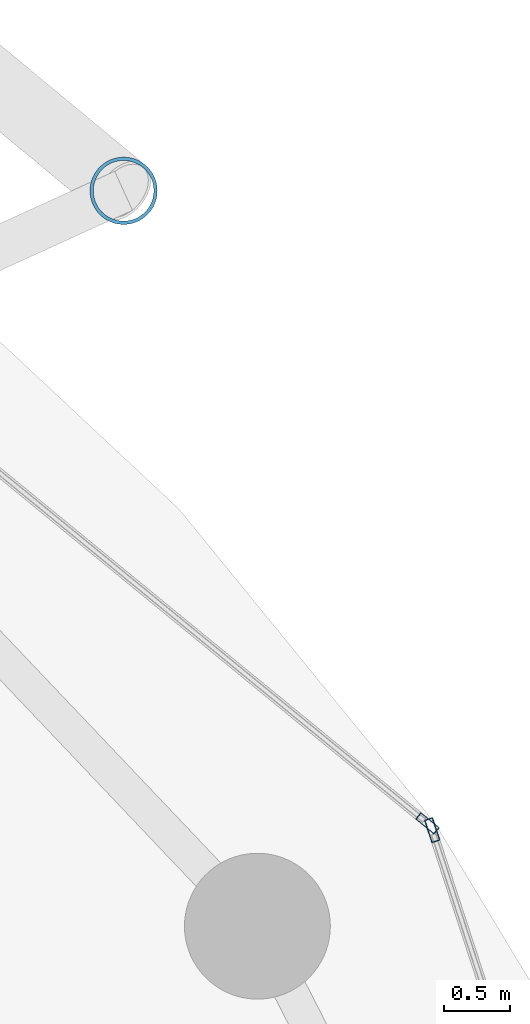
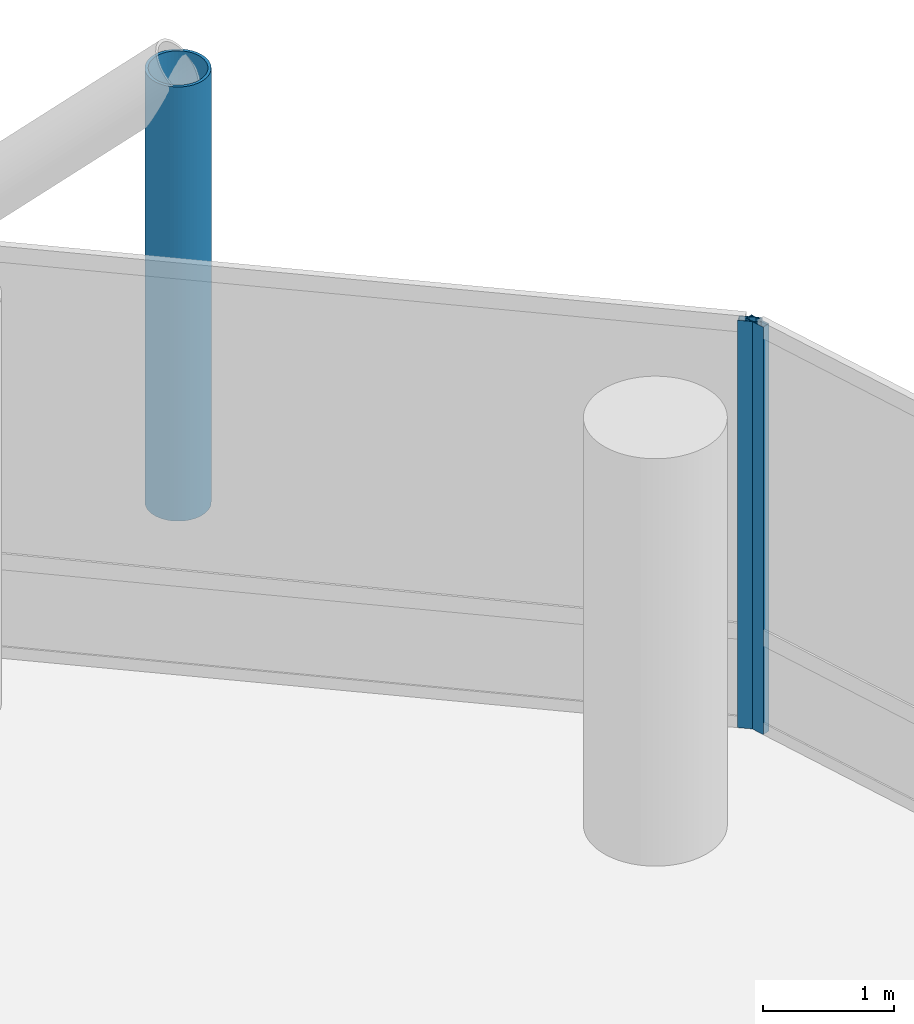
# One storey, part 19 of 25: 3 members, 2 elements without a shape of their own.
"""IFC4 building model written with IfcOpenShell, lengths in metres."""

from ifc_helpers import new_model, si_unit, direction, frame, origin, origin_2d, place, context, subcontext, project, spatial, hollow_rectangle, hollow_circle, extrude, material, layer, layer_set, material_profile, profile_set, type_object, element, aggregate, save


model = new_model("IFC4")

# Units and contexts
model_context = context("Model", 3, precision=1e-05, world=origin(), true_north=direction((0.0, 1.0)))
body_context = subcontext(model_context, "Body", "Model", "MODEL_VIEW")
ifc_project = project(units=[si_unit("LENGTHUNIT", "METRE"), si_unit("AREAUNIT", "SQUARE_METRE"), si_unit("VOLUMEUNIT", "CUBIC_METRE"), si_unit("PLANEANGLEUNIT", "RADIAN"), si_unit("MASSUNIT", "GRAM", prefix="KILO")], contexts=[model_context])

# Site, building, storey
site_placement = place(None, origin())
site = spatial("IfcSite", under=ifc_project, at=site_placement, CompositionType="ELEMENT")
building_placement = place(site_placement, origin())
building = spatial("IfcBuilding", under=site, at=building_placement, Name="Nuhasar Tower", CompositionType="ELEMENT")
storey_placement = place(building_placement, frame((0.0, 0.0, 65.550048828125)))
storey = spatial("IfcBuildingStorey", under=building, at=storey_placement, Name="L15", CompositionType="ELEMENT", Elevation=65.550048828125)

# Curtain wall, member
ifc_material_1 = material(Name="Aluminium 6063-T6", Category="aluminium")
ifc_layer = layer(ifc_material_1, 0.199951171875)
ifc_layer_set = layer_set([ifc_layer], Name="Aluminium 6063-T6")
curtain_wall_type = type_object("IfcCurtainWallType", Name="CW-Z1-OFF", PredefinedType="NOTDEFINED", material=ifc_layer_set)
curtain_wall_1_placement = place(storey_placement, origin())
curtain_wall_1 = element("IfcCurtainWall", 1, at=curtain_wall_1_placement, inside=storey, type_object=curtain_wall_type, Name="L15 Unitised Curtain Wall 01", PredefinedType="NOTDEFINED")
ifc_material_profile_1 = material_profile(ifc_material_1, hollow_rectangle(XDim=0.06494140625, YDim=0.179931640625, WallThickness=0.0048828125, at=origin_2d()), Name="CWM-2")
ifc_profile_set_1 = profile_set([ifc_material_profile_1], Name="Aluminium 6063-T6")
member_type_1 = type_object("IfcMemberType", Name="CW-MUL-S2", PredefinedType="MULLION", material=ifc_profile_set_1)
member_1_placement = place(storey_placement, frame((62.01220703125, 37.649169921875, 0.0), z_axis=(0.0, 0.0, 1.0), x_axis=(-0.950467534571, -0.310823849997, 0.0)))
member_1 = element("IfcMember", 2, at=member_1_placement, type_object=member_type_1, Name="CW-Z1 mullion 2", PredefinedType="MULLION", context=body_context, shape_type="SweptSolid", body=[
    extrude(hollow_rectangle(XDim=0.06494140625, YDim=0.179931640625, WallThickness=0.0048828125, at=origin_2d()), origin(), (0.0, 0.0, 1.0), 3.800048828125),
])
aggregate(curtain_wall_1, [member_1])

curtain_wall_2_placement = place(storey_placement, origin())
curtain_wall_2 = element("IfcCurtainWall", 3, at=curtain_wall_2_placement, inside=storey, type_object=curtain_wall_type, Name="L15 Unitised Curtain Wall 02", PredefinedType="NOTDEFINED")
member_2_placement = place(storey_placement, frame((61.976806640625, 37.70068359375, 0.0), z_axis=(0.0, 0.0, 1.0), x_axis=(-0.633744593376, -0.773542364946, 0.0)))
member_2 = element("IfcMember", 4, at=member_2_placement, type_object=member_type_1, Name="CW-Z1 mullion 1", PredefinedType="MULLION", context=body_context, shape_type="SweptSolid", body=[
    extrude(hollow_rectangle(XDim=0.06494140625, YDim=0.179931640625, WallThickness=0.0048828125, at=origin_2d()), origin(), (0.0, 0.0, 1.0), 3.800048828125),
])
aggregate(curtain_wall_2, [member_2])

# Member
ifc_material_2 = material(Name="Steel S460", Category="steel")
ifc_material_profile_2 = material_profile(ifc_material_2, hollow_circle(Radius=0.25390625, WallThickness=0.025390625, at=origin_2d()), Name="HSS508X25.4")
ifc_profile_set_2 = profile_set([ifc_material_profile_2], Name="Steel S460")
member_type_2 = type_object("IfcMemberType", Name="EXO-BRONZE-508", PredefinedType="BRACE", material=ifc_profile_set_2)
member_3_placement = place(storey_placement, frame((59.68505859375, 42.470947265625, 0.0), z_axis=(0.0, 0.0, 1.0), x_axis=(1.0, 0.0, 0.0)))
element("IfcMember", 5, at=member_3_placement, inside=storey, type_object=member_type_2, Name="L15 Exoskeleton Chord Column EC-02A", PredefinedType="BRACE", context=body_context, shape_type="SweptSolid", body=[
    extrude(hollow_circle(Radius=0.25390625, WallThickness=0.025390625, at=origin_2d()), origin(), (0.0, 0.0, 1.0), 4.050048828125),
])

save(model, "model.ifc")
